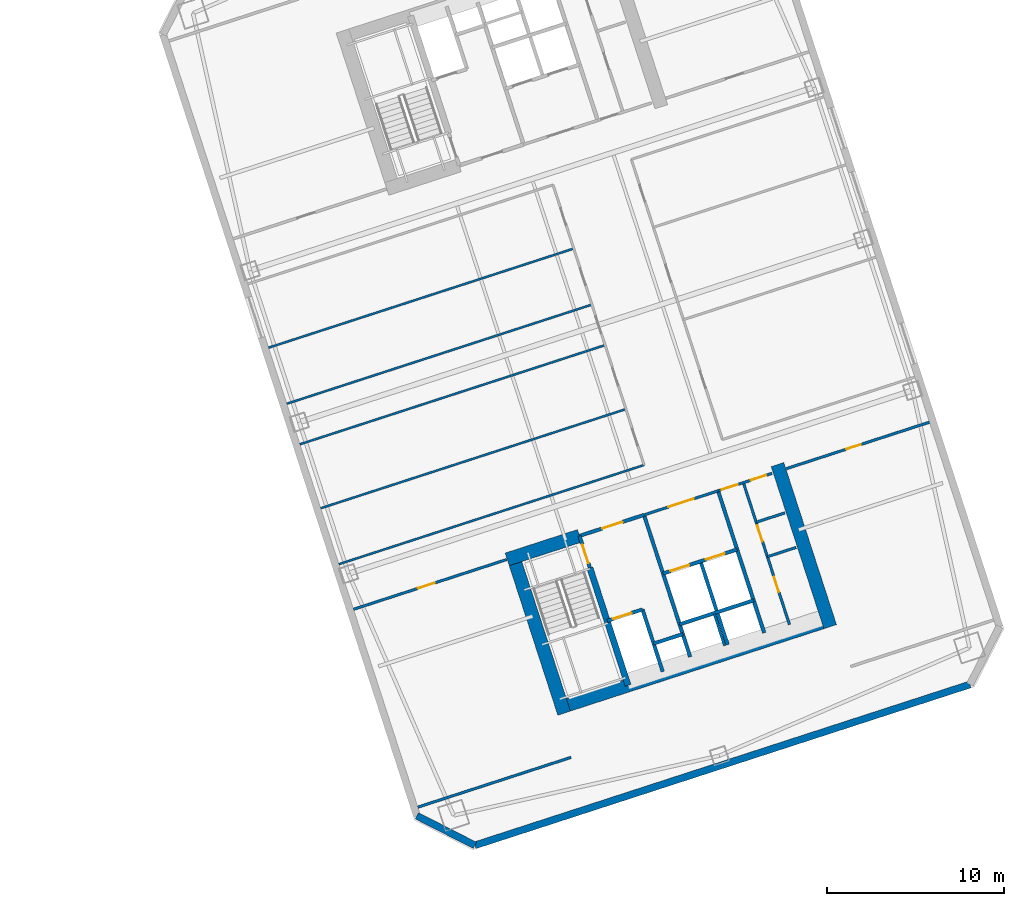
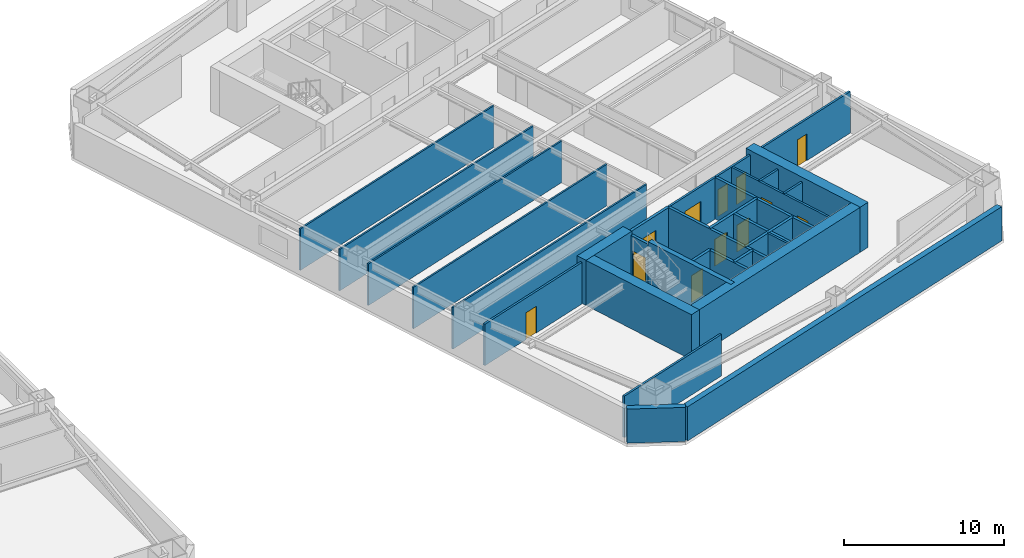
# One storey, part 8 of 13: 31 walls, 12 doors, 12 openings.
"""IFC4 building model written with IfcOpenShell, lengths in metres."""

from ifc_helpers import new_model, si_unit, direction, frame, frame_2d, origin, place, context, subcontext, project, spatial, rectangle, extrude, material, layer, layer_set, type_object, element, fill, save


model = new_model("IFC4")

# Units and contexts
model_context = context("Model", 3, precision=1e-05, world=origin(), true_north=direction((0.0, 1.0)))
body_context = subcontext(model_context, "Body", "Model", "MODEL_VIEW")
ifc_project = project(units=[si_unit("LENGTHUNIT", "METRE"), si_unit("AREAUNIT", "SQUARE_METRE"), si_unit("VOLUMEUNIT", "CUBIC_METRE"), si_unit("PLANEANGLEUNIT", "RADIAN"), si_unit("MASSUNIT", "GRAM", prefix="KILO")], contexts=[model_context])

# Site, building, storey
site_placement = place(None, origin())
site = spatial("IfcSite", under=ifc_project, at=site_placement, CompositionType="ELEMENT")
building_placement = place(site_placement, origin())
building = spatial("IfcBuilding", under=site, at=building_placement, Name="Qiaolan Cultural Towers", CompositionType="ELEMENT")
storey_placement = place(building_placement, frame((0.0, 0.0, 85.10009765625)))
storey = spatial("IfcBuildingStorey", under=building, at=storey_placement, Name="L21", CompositionType="ELEMENT", Elevation=85.10009765625)

# Walls
ifc_material_1 = material(Name="Concrete C50", Category="concrete")
ifc_layer_1 = layer(ifc_material_1, 0.35009765625)
ifc_layer_set_1 = layer_set([ifc_layer_1], Name="Concrete C50")
wall_type_1 = type_object("IfcWallType", Name="WL-CORE-350", PredefinedType="SHEAR", material=ifc_layer_set_1)
wall_1_placement = place(storey_placement, frame((90.486328125, 20.59423828125, 0.0), z_axis=(0.0, 0.0, 1.0), x_axis=(0.309020428229, -0.951055400562, 0.0)))
element("IfcWall", 1, at=wall_1_placement, inside=storey, type_object=wall_type_1, Name="L21 T2-CS Stair Core Dividing Web", PredefinedType="SHEAR", context=body_context, shape_type="SweptSolid", body=[
    extrude(rectangle(XDim=6.97998046875, YDim=0.35009765625, at=frame_2d((3.489990234375, 0.0))), origin(), (0.0, 0.0, 1.0), 3.449951171875),
])
ifc_material_2 = material(Name="Concrete C60", Category="concrete")
ifc_layer_2 = layer(ifc_material_2, 0.75)
ifc_layer_set_2 = layer_set([ifc_layer_2], Name="Concrete C60")
wall_type_2 = type_object("IfcWallType", Name="WL-CORE-750", PredefinedType="SHEAR", material=ifc_layer_set_2)
wall_2_placement = place(storey_placement, frame((88.55859375, 12.628662109375, 0.0), z_axis=(0.0, 0.0, 1.0), x_axis=(0.951056072937, 0.309018358888, 0.0)))
element("IfcWall", 2, at=wall_2_placement, inside=storey, type_object=wall_type_2, Name="L21 T2-CS Outer Core Shear Wall", PredefinedType="SHEAR", context=body_context, shape_type="SweptSolid", body=[
    extrude(rectangle(XDim=16.550048828125, YDim=0.75, at=frame_2d((8.27490234375, 0.0))), origin(), (0.0, 0.0, 1.0), 3.449951171875),
])
wall_3_placement = place(storey_placement, frame((86.05517578125, 21.54638671875, 0.0), z_axis=(0.0, 0.0, 1.0), x_axis=(0.309023585745, -0.951054374604, 0.0)))
element("IfcWall", 3, at=wall_3_placement, inside=storey, type_object=wall_type_2, Name="L21 T2-CS West Core Shear Wall", PredefinedType="SHEAR", context=body_context, shape_type="SweptSolid", body=[
    extrude(rectangle(XDim=9.6298828125, YDim=0.75, at=frame_2d((4.81494140625, 0.0))), origin(), (0.0, 0.0, 1.0), 3.449951171875),
])
wall_4_placement = place(storey_placement, frame((101.08203125, 26.428955078125, 0.0), z_axis=(0.0, 0.0, 1.0), x_axis=(0.309016134813, -0.951056795583, 0.0)))
element("IfcWall", 4, at=wall_4_placement, inside=storey, type_object=wall_type_2, Name="L21 T2-CS East Core Shear Wall", PredefinedType="SHEAR", context=body_context, shape_type="SweptSolid", body=[
    extrude(rectangle(XDim=9.630126953125, YDim=0.75, at=frame_2d((4.81494140625, 0.0))), origin(), (0.0, 0.0, 1.0), 3.449951171875),
])
wall_5_placement = place(storey_placement, frame((85.814453125, 21.073974609375, 0.0), z_axis=(0.0, 0.0, 1.0), x_axis=(0.95106580992, 0.308988390074, 0.0)))
element("IfcWall", 5, at=wall_5_placement, inside=storey, type_object=wall_type_2, Name="L21 T2-CS Stair Front Shear Wall", PredefinedType="SHEAR", context=body_context, shape_type="SweptSolid", body=[
    extrude(rectangle(XDim=4.295166015625, YDim=0.75, at=frame_2d((2.1474609375, 0.0))), origin(), (0.0, 0.0, 1.0), 3.449951171875),
])
ifc_material_3 = material(Name="Precast Concrete C50 Honed Stone Pier", Category="masonry")
ifc_layer_3 = layer(ifc_material_3, 0.39990234375)
ifc_layer_set_3 = layer_set([ifc_layer_3], Name="Precast Concrete C50 Honed Stone Pier")
wall_type_3 = type_object("IfcWallType", Name="WL-EXT-PIER-400", PredefinedType="SOLIDWALL", material=ifc_layer_set_3)
wall_6_placement = place(storey_placement, frame((111.953125, 14.00537109375, 0.0), z_axis=(0.0, 0.0, 1.0), x_axis=(-0.95105505922, -0.309021478754, 0.0)))
element("IfcWall", 6, at=wall_6_placement, inside=storey, type_object=wall_type_3, Name="L21 East Tower Precast Pier Facade Wall F7", PredefinedType="SOLIDWALL", context=body_context, shape_type="SweptSolid", body=[
    extrude(rectangle(XDim=29.39990234375, YDim=0.39990234375, at=frame_2d((14.699951171875, 0.0))), origin(), (0.0, 0.0, 1.0), 2.60986328125),
])
wall_7_placement = place(storey_placement, frame((83.9921875, 4.920166015625, 0.0), z_axis=(0.0, 0.0, 1.0), x_axis=(-0.891001999643, 0.45399937955, 0.0)))
element("IfcWall", 7, at=wall_7_placement, inside=storey, type_object=wall_type_3, Name="L21 East Tower Precast Pier Facade Wall F8", PredefinedType="SOLIDWALL", context=body_context, shape_type="SweptSolid", body=[
    extrude(rectangle(XDim=3.67724609375, YDim=0.39990234375, at=frame_2d((1.838623046875, 0.0))), origin(), (0.0, 0.0, 1.0), 2.60986328125),
])

# Wall, opening, door
ifc_material_4 = material(Name="Concrete C35 Fire Wall", Category="concrete")
ifc_layer_4 = layer(ifc_material_4, 0.199951171875)
ifc_layer_set_4 = layer_set([ifc_layer_4], Name="Concrete C35 Fire Wall")
wall_type_4 = type_object("IfcWallType", Name="WL-FIRE-200", PredefinedType="PARTITIONING", material=ifc_layer_set_4)
wall_8_placement = place(storey_placement, frame((89.8994140625, 22.401123046875, 0.0), z_axis=(0.0, 0.0, 1.0), x_axis=(0.308932062672, -0.951084108086, 0.0)))
wall_8 = element("IfcWall", 8, at=wall_8_placement, inside=storey, type_object=wall_type_4, Name="L21 T2-CS Smokeproof Stair Entry Wall", PredefinedType="PARTITIONING", context=body_context, shape_type="SweptSolid", body=[
    extrude(rectangle(XDim=1.89990234375, YDim=0.199951171875, at=frame_2d((0.949951171875, 0.0))), origin(), (0.0, 0.0, 1.0), 3.1748046875),
])
opening_1_placement = place(wall_8_placement, frame((0.52001953125, 0.0, 0.0)))
opening_1 = element("IfcOpeningElement", 9, at=opening_1_placement, cuts=wall_8, Name="Opening FD-04", PredefinedType="OPENING", context=body_context, shape_type="SweptSolid", body=[
    extrude(rectangle(XDim=1.10009765625, YDim=2.050048828125, at=frame_2d((0.550048828125, 1.02490234375))), frame((0.0, 0.10986328125, 0.0), z_axis=(0.0, -1.0, 0.0), x_axis=(1.0, 0.0, 0.0)), (0.0, 0.0, 1.0), 0.219970703125),
])
ifc_material_5 = material(Name="Galvanized Steel Command Fire Door", Category="steel")
door_type_1 = type_object("IfcDoorType", Name="DR-FD90-1100", OperationType="NOTDEFINED", PredefinedType="DOOR", material=ifc_material_5)
door_1_placement = place(opening_1_placement, origin())
door_1 = element("IfcDoor", 10, at=door_1_placement, inside=storey, type_object=door_type_1, Name="L21 ST-E1 Smokeproof Stair Fire Door", OperationType="SINGLE_SWING_LEFT", OverallHeight=2.050048828125, OverallWidth=1.10009765625, PredefinedType="DOOR", context=body_context, shape_type="SweptSolid", body=[
    extrude(rectangle(XDim=1.10009765625, YDim=2.050048828125, at=frame_2d((0.550048828125, 1.02490234375))), frame((0.0, 0.02490234375, 0.0), z_axis=(0.0, -1.0, 0.0), x_axis=(1.0, 0.0, 0.0)), (0.0, 0.0, 1.0), 0.050048828125),
])
fill(opening_1, door_1)

# Wall
wall_9_placement = place(storey_placement, frame((93.541748046875, 23.584716796875, 0.0), z_axis=(0.0, 0.0, 1.0), x_axis=(0.309042196757, -0.951048327176, 0.0)))
element("IfcWall", 11, at=wall_9_placement, inside=storey, type_object=wall_type_4, Name="L21 T2-CS Firefighting Zone Wall", PredefinedType="PARTITIONING", context=body_context, shape_type="SweptSolid", body=[
    extrude(rectangle(XDim=8.429931640625, YDim=0.199951171875, at=frame_2d((4.21484375, 0.0))), origin(), (0.0, 0.0, 1.0), 3.1748046875),
])

# Wall, opening, door
wall_10_placement = place(storey_placement, frame((89.8994140625, 22.401123046875, 0.0), z_axis=(0.0, 0.0, 1.0), x_axis=(0.951046716504, 0.309047153403, 0.0)))
wall_10 = element("IfcWall", 12, at=wall_10_placement, inside=storey, type_object=wall_type_4, Name="L21 T2-CS Firefighting Lobby Front Wall", PredefinedType="PARTITIONING", context=body_context, shape_type="SweptSolid", body=[
    extrude(rectangle(XDim=3.829833984375, YDim=0.199951171875, at=frame_2d((1.9150390625, 0.0))), origin(), (0.0, 0.0, 1.0), 3.1748046875),
])
opening_2_placement = place(wall_10_placement, frame((1.35009765625, 0.0, 0.0)))
opening_2 = element("IfcOpeningElement", 13, at=opening_2_placement, cuts=wall_10, Name="Opening FD-03", PredefinedType="OPENING", context=body_context, shape_type="SweptSolid", body=[
    extrude(rectangle(XDim=1.199951171875, YDim=2.050048828125, at=frame_2d((0.60009765625, 1.02490234375))), frame((0.0, 0.10986328125, 0.0), z_axis=(0.0, -1.0, 0.0), x_axis=(1.0, 0.0, 0.0)), (0.0, 0.0, 1.0), 0.219970703125),
])
ifc_material_6 = material(Name="Galvanized Steel Smokeproof Lobby Fire Door", Category="steel")
door_type_2 = type_object("IfcDoorType", Name="DR-FD90-1200", OperationType="NOTDEFINED", PredefinedType="DOOR", material=ifc_material_6)
door_2_placement = place(opening_2_placement, origin())
door_2 = element("IfcDoor", 14, at=door_2_placement, inside=storey, type_object=door_type_2, Name="L21 FFL-E1 Firefighting Lobby Fire Door", OperationType="SINGLE_SWING_LEFT", OverallHeight=2.050048828125, OverallWidth=1.199951171875, PredefinedType="DOOR", context=body_context, shape_type="SweptSolid", body=[
    extrude(rectangle(XDim=1.199951171875, YDim=2.050048828125, at=frame_2d((0.60009765625, 1.02490234375))), frame((0.0, 0.02490234375, 0.0), z_axis=(0.0, -1.0, 0.0), x_axis=(1.0, 0.0, 0.0)), (0.0, 0.0, 1.0), 0.050048828125),
])
fill(opening_2, door_2)

wall_11_placement = place(storey_placement, frame((91.459716796875, 17.598388671875, 0.0), z_axis=(0.0, 0.0, 1.0), x_axis=(0.951062257173, 0.308999325213, 0.0)))
wall_11 = element("IfcWall", 15, at=wall_11_placement, inside=storey, type_object=wall_type_4, Name="L21 T2-CS Firefighting Shaft Front Wall", PredefinedType="PARTITIONING", context=body_context, shape_type="SweptSolid", body=[
    extrude(rectangle(XDim=2.10009765625, YDim=0.199951171875, at=frame_2d((1.050048828125, 0.0))), origin(), (0.0, 0.0, 1.0), 3.1748046875),
])
opening_3_placement = place(wall_11_placement, frame((0.35009765625, 0.0, 0.0)))
opening_3 = element("IfcOpeningElement", 16, at=opening_3_placement, cuts=wall_11, Name="Opening LD-01", PredefinedType="OPENING", context=body_context, shape_type="SweptSolid", body=[
    extrude(rectangle(XDim=1.10009765625, YDim=2.050048828125, at=frame_2d((0.550048828125, 1.02490234375))), frame((0.0, 0.10986328125, 0.0), z_axis=(0.0, -1.0, 0.0), x_axis=(1.0, 0.0, 0.0)), (0.0, 0.0, 1.0), 0.219970703125),
])
ifc_material_7 = material(Name="Brushed Stainless Steel S30408 Centre-Parting Lift Landing Door", Category="steel")
door_type_3 = type_object("IfcDoorType", Name="DR-LIFT-1100", OperationType="NOTDEFINED", PredefinedType="DOOR", material=ifc_material_7)
door_3_placement = place(opening_3_placement, origin())
door_3 = element("IfcDoor", 17, at=door_3_placement, inside=storey, type_object=door_type_3, Name="L21 FFL-E1 Firefighting Lift Landing Door", OperationType="DOUBLE_DOOR_SLIDING", OverallHeight=2.050048828125, OverallWidth=1.10009765625, PredefinedType="DOOR", context=body_context, shape_type="SweptSolid", body=[
    extrude(rectangle(XDim=1.10009765625, YDim=2.050048828125, at=frame_2d((0.550048828125, 1.02490234375))), frame((0.0, 0.02490234375, 0.0), z_axis=(0.0, -1.0, 0.0), x_axis=(1.0, 0.0, 0.0)), (0.0, 0.0, 1.0), 0.050048828125),
])
fill(opening_3, door_3)

# Walls
wall_12_placement = place(storey_placement, frame((93.45703125, 18.247314453125, 0.0), z_axis=(0.0, 0.0, 1.0), x_axis=(0.3089935693, -0.951064127245, 0.0)))
element("IfcWall", 18, at=wall_12_placement, inside=storey, type_object=wall_type_4, Name="L21 T2-CS Firefighting Hoistway East Wall", PredefinedType="PARTITIONING", context=body_context, shape_type="SweptSolid", body=[
    extrude(rectangle(XDim=3.7001953125, YDim=0.199951171875, at=frame_2d((1.85009765625, 0.0))), origin(), (0.0, 0.0, 1.0), 3.1748046875),
])
wall_13_placement = place(storey_placement, frame((94.08447265625, 16.316650390625, 0.0), z_axis=(0.0, 0.0, 1.0), x_axis=(0.951041328149, 0.309063734775, 0.0)))
element("IfcWall", 19, at=wall_13_placement, inside=storey, type_object=wall_type_4, Name="L21 T2-CS Pressurization Shaft Front Wall", PredefinedType="PARTITIONING", context=body_context, shape_type="SweptSolid", body=[
    extrude(rectangle(XDim=1.72998046875, YDim=0.199951171875, at=frame_2d((0.864990234375, 0.0))), origin(), (0.0, 0.0, 1.0), 3.1748046875),
])
wall_14_placement = place(storey_placement, frame((97.7265625, 24.9443359375, 0.0), z_axis=(0.0, 0.0, 1.0), x_axis=(0.309016001439, -0.951056838919, 0.0)))
element("IfcWall", 20, at=wall_14_placement, inside=storey, type_object=wall_type_4, Name="L21 T2-CS Lift Core East Wall", PredefinedType="PARTITIONING", context=body_context, shape_type="SweptSolid", body=[
    extrude(rectangle(XDim=8.429931640625, YDim=0.199951171875, at=frame_2d((4.21484375, 0.0))), origin(), (0.0, 0.0, 1.0), 3.1748046875),
])

# Wall, openings, doors
wall_15_placement = place(storey_placement, frame((94.6171875, 20.275146484375, 0.0), z_axis=(0.0, 0.0, 1.0), x_axis=(0.951058531764, 0.30901079133, 0.0)))
wall_15 = element("IfcWall", 21, at=wall_15_placement, inside=storey, type_object=wall_type_4, Name="L21 T2-CS Passenger Lift Shaft Front Wall", PredefinedType="PARTITIONING", context=body_context, shape_type="SweptSolid", body=[
    extrude(rectangle(XDim=4.39990234375, YDim=0.199951171875, at=frame_2d((2.199951171875, 0.0))), origin(), (0.0, 0.0, 1.0), 3.1748046875),
])
opening_4_placement = place(wall_15_placement, frame((0.449951171875, 0.0, 0.0)))
opening_4 = element("IfcOpeningElement", 22, at=opening_4_placement, cuts=wall_15, Name="Opening LD-01", PredefinedType="OPENING", context=body_context, shape_type="SweptSolid", body=[
    extrude(rectangle(XDim=1.10009765625, YDim=2.050048828125, at=frame_2d((0.550048828125, 1.02490234375))), frame((0.0, 0.10986328125, 0.0), z_axis=(0.0, -1.0, 0.0), x_axis=(1.0, 0.0, 0.0)), (0.0, 0.0, 1.0), 0.219970703125),
])
opening_5_placement = place(wall_15_placement, frame((2.550048828125, 0.0, 0.0)))
opening_5 = element("IfcOpeningElement", 23, at=opening_5_placement, cuts=wall_15, Name="Opening LD-01", PredefinedType="OPENING", context=body_context, shape_type="SweptSolid", body=[
    extrude(rectangle(XDim=1.10009765625, YDim=2.050048828125, at=frame_2d((0.550048828125, 1.02490234375))), frame((0.0, 0.10986328125, 0.0), z_axis=(0.0, -1.0, 0.0), x_axis=(1.0, 0.0, 0.0)), (0.0, 0.0, 1.0), 0.219970703125),
])
door_4_placement = place(opening_4_placement, origin())
door_4 = element("IfcDoor", 24, at=door_4_placement, inside=storey, type_object=door_type_3, Name="L21 Passenger Lift 1 Landing Door", OperationType="DOUBLE_DOOR_SLIDING", OverallHeight=2.050048828125, OverallWidth=1.10009765625, PredefinedType="DOOR", context=body_context, shape_type="SweptSolid", body=[
    extrude(rectangle(XDim=1.10009765625, YDim=2.050048828125, at=frame_2d((0.550048828125, 1.02490234375))), frame((0.0, 0.02490234375, 0.0), z_axis=(0.0, -1.0, 0.0), x_axis=(1.0, 0.0, 0.0)), (0.0, 0.0, 1.0), 0.050048828125),
])
fill(opening_4, door_4)
door_5_placement = place(opening_5_placement, origin())
door_5 = element("IfcDoor", 25, at=door_5_placement, inside=storey, type_object=door_type_3, Name="L21 Passenger Lift 2 Landing Door", OperationType="DOUBLE_DOOR_SLIDING", OverallHeight=2.050048828125, OverallWidth=1.10009765625, PredefinedType="DOOR", context=body_context, shape_type="SweptSolid", body=[
    extrude(rectangle(XDim=1.10009765625, YDim=2.050048828125, at=frame_2d((0.550048828125, 1.02490234375))), frame((0.0, 0.02490234375, 0.0), z_axis=(0.0, -1.0, 0.0), x_axis=(1.0, 0.0, 0.0)), (0.0, 0.0, 1.0), 0.050048828125),
])
fill(opening_5, door_5)

# Walls
wall_16_placement = place(storey_placement, frame((96.738037109375, 20.964111328125, 0.0), z_axis=(0.0, 0.0, 1.0), x_axis=(0.309042578481, -0.951048203135, 0.0)))
element("IfcWall", 26, at=wall_16_placement, inside=storey, type_object=wall_type_4, Name="L21 T2-CS Lift Shaft Divider Wall", PredefinedType="PARTITIONING", context=body_context, shape_type="SweptSolid", body=[
    extrude(rectangle(XDim=4.9501953125, YDim=0.199951171875, at=frame_2d((2.47509765625, 0.0))), origin(), (0.0, 0.0, 1.0), 3.1748046875),
])
wall_17_placement = place(storey_placement, frame((95.550537109375, 17.40283203125, 0.0), z_axis=(0.0, 0.0, 1.0), x_axis=(0.951058531764, 0.30901079133, 0.0)))
element("IfcWall", 27, at=wall_17_placement, inside=storey, type_object=wall_type_4, Name="L21 T2-CS Passenger Lift Shaft Back Wall", PredefinedType="PARTITIONING", context=body_context, shape_type="SweptSolid", body=[
    extrude(rectangle(XDim=4.39990234375, YDim=0.199951171875, at=frame_2d((2.199951171875, 0.0))), origin(), (0.0, 0.0, 1.0), 3.1748046875),
])
ifc_material_8 = material(Name="Gypsum Stud Acoustic Partition", Category="gypsum")
ifc_layer_5 = layer(ifc_material_8, 0.1201171875)
ifc_layer_set_5 = layer_set([ifc_layer_5], Name="Gypsum Stud Acoustic Partition")
wall_type_5 = type_object("IfcWallType", Name="WL-PART-120", PredefinedType="PARTITIONING", material=ifc_layer_set_5)
for number, where, z_axis, x_axis, name in (
    (28, (76.307861328125, 20.802978515625, 0.0), (0.0, 0.0, 1.0), (0.951054952586, 0.309021806935, 0.0), "L21 T2 South Corridor Left Wall"),
    (29, (75.281982421875, 23.96044921875, 0.0), (0.0, 0.0, 1.0), (0.951054952586, 0.309021806935, 0.0), "L21 T2 West Partition 1"),
    (30, (74.107666015625, 27.574462890625, 0.0), (0.0, 0.0, 1.0), (0.951054952586, 0.309021806935, 0.0), "L21 T2 West Partition 2"),
):
    element("IfcWall", number, at=place(storey_placement, frame(where, z_axis=z_axis, x_axis=x_axis)), inside=storey, type_object=wall_type_5, Name=name, PredefinedType="PARTITIONING", context=body_context, shape_type="SweptSolid", body=[
        extrude(rectangle(XDim=18.125244140625, YDim=0.1201171875, at=frame_2d((9.0625, 0.0))), origin(), (0.0, 0.0, 1.0), 3.1748046875),
    ])
wall_18_placement = place(storey_placement, frame((73.3642578125, 29.863037109375, 0.0), z_axis=(0.0, 0.0, 1.0), x_axis=(0.951057625014, 0.309013582067, 0.0)))
element("IfcWall", 31, at=wall_18_placement, inside=storey, type_object=wall_type_5, Name="L21 T2 West Partition 3", PredefinedType="PARTITIONING", context=body_context, shape_type="SweptSolid", body=[
    extrude(rectangle(XDim=18.124755859375, YDim=0.1201171875, at=frame_2d((9.0625, 0.0))), origin(), (0.0, 0.0, 1.0), 3.1748046875),
])
wall_19_placement = place(storey_placement, frame((72.335693359375, 33.028076171875, 0.0), z_axis=(0.0, 0.0, 1.0), x_axis=(0.951058911225, 0.309009623443, 0.0)))
element("IfcWall", 32, at=wall_19_placement, inside=storey, type_object=wall_type_5, Name="L21 T2 West Partition 4", PredefinedType="PARTITIONING", context=body_context, shape_type="SweptSolid", body=[
    extrude(rectangle(XDim=18.125, YDim=0.1201171875, at=frame_2d((9.0625, 0.0))), origin(), (0.0, 0.0, 1.0), 3.1748046875),
])

# Wall, opening, door
ifc_material_9 = material(Name="Autoclaved Aerated Concrete Block B06", Category="concrete")
ifc_layer_6 = layer(ifc_material_9, 0.14990234375)
ifc_layer_set_6 = layer_set([ifc_layer_6], Name="Autoclaved Aerated Concrete Block B06")
wall_type_6 = type_object("IfcWallType", Name="WL-PART-150", PredefinedType="PARTITIONING", material=ifc_layer_set_6)
wall_20_placement = place(storey_placement, frame((93.541748046875, 23.584716796875, 0.0), z_axis=(0.0, 0.0, 1.0), x_axis=(0.951063829732, 0.308994485023, 0.0)))
wall_20 = element("IfcWall", 33, at=wall_20_placement, inside=storey, type_object=wall_type_6, Name="L21 T2-CS Passenger Lift Lobby Front Wall", PredefinedType="PARTITIONING", context=body_context, shape_type="SweptSolid", body=[
    extrude(rectangle(XDim=4.400146484375, YDim=0.14990234375, at=frame_2d((2.2001953125, 0.0))), origin(), (0.0, 0.0, 1.0), 3.1748046875),
])
opening_6_placement = place(wall_20_placement, frame((1.449951171875, 0.0, 0.0)))
opening_6 = element("IfcOpeningElement", 34, at=opening_6_placement, cuts=wall_20, Name="Opening FD-05", PredefinedType="OPENING", context=body_context, shape_type="SweptSolid", body=[
    extrude(rectangle(XDim=1.5, YDim=2.050048828125, at=frame_2d((0.75, 1.02490234375))), frame((0.0, 0.0849609375, 0.0), z_axis=(0.0, -1.0, 0.0), x_axis=(1.0, 0.0, 0.0)), (0.0, 0.0, 1.0), 0.169921875),
])
ifc_material_10 = material(Name="Painted Steel Lift Lobby Fire Door", Category="steel")
door_type_4 = type_object("IfcDoorType", Name="DR-FD60-1500", OperationType="NOTDEFINED", PredefinedType="DOOR", material=ifc_material_10)
door_6_placement = place(opening_6_placement, origin())
door_6 = element("IfcDoor", 35, at=door_6_placement, inside=storey, type_object=door_type_4, Name="L21 Passenger Lift Lobby Entrance", OperationType="SINGLE_SWING_LEFT", OverallHeight=2.050048828125, OverallWidth=1.5, PredefinedType="DOOR", context=body_context, shape_type="SweptSolid", body=[
    extrude(rectangle(XDim=1.5, YDim=2.050048828125, at=frame_2d((0.75, 1.02490234375))), frame((0.0, 0.02490234375, 0.0), z_axis=(0.0, -1.0, 0.0), x_axis=(1.0, 0.0, 0.0)), (0.0, 0.0, 1.0), 0.050048828125),
])
fill(opening_6, door_6)

# Wall
wall_21_placement = place(storey_placement, frame((97.515625, 17.98876953125, 0.0), z_axis=(0.0, 0.0, 1.0), x_axis=(0.30897153969, -0.951071284217, 0.0)))
element("IfcWall", 36, at=wall_21_placement, inside=storey, type_object=wall_type_6, Name="L21 T2-CS Core Rear Split Wall", PredefinedType="PARTITIONING", context=body_context, shape_type="SweptSolid", body=[
    extrude(rectangle(XDim=1.8798828125, YDim=0.14990234375, at=frame_2d((0.93994140625, 0.0))), origin(), (0.0, 0.0, 1.0), 3.1748046875),
])

# Wall, openings, doors
wall_22_placement = place(storey_placement, frame((97.7265625, 24.9443359375, 0.0), z_axis=(0.0, 0.0, 1.0), x_axis=(0.951036872128, 0.309077446369, 0.0)))
wall_22 = element("IfcWall", 37, at=wall_22_placement, inside=storey, type_object=wall_type_6, Name="L21 T2-CS Sanitary Core Front Wall", PredefinedType="PARTITIONING", context=body_context, shape_type="SweptSolid", body=[
    extrude(rectangle(XDim=3.199951171875, YDim=0.14990234375, at=frame_2d((1.60009765625, 0.0))), origin(), (0.0, 0.0, 1.0), 3.1748046875),
])
opening_7_placement = place(wall_22_placement, frame((0.219970703125, 0.0, 0.0)))
opening_7 = element("IfcOpeningElement", 38, at=opening_7_placement, cuts=wall_22, Name="Opening ID-05", PredefinedType="OPENING", context=body_context, shape_type="SweptSolid", body=[
    extrude(rectangle(XDim=0.949951171875, YDim=2.050048828125, at=frame_2d((0.47509765625, 1.02490234375))), frame((0.0, 0.0849609375, 0.0), z_axis=(0.0, -1.0, 0.0), x_axis=(1.0, 0.0, 0.0)), (0.0, 0.0, 1.0), 0.169921875),
])
opening_8_placement = place(wall_22_placement, frame((1.949951171875, 0.0, 0.0)))
opening_8 = element("IfcOpeningElement", 39, at=opening_8_placement, cuts=wall_22, Name="Opening ID-06", PredefinedType="OPENING", context=body_context, shape_type="SweptSolid", body=[
    extrude(rectangle(XDim=0.89990234375, YDim=2.050048828125, at=frame_2d((0.449951171875, 1.02490234375))), frame((0.0, 0.0849609375, 0.0), z_axis=(0.0, -1.0, 0.0), x_axis=(1.0, 0.0, 0.0)), (0.0, 0.0, 1.0), 0.169921875),
])
ifc_material_11 = material(Name="Fire-Rated Laminate Core Service Door", Category="timber")
door_type_5 = type_object("IfcDoorType", Name="DR-INT-900", OperationType="NOTDEFINED", PredefinedType="DOOR", material=ifc_material_11)
door_7_placement = place(opening_8_placement, origin())
door_7 = element("IfcDoor", 40, at=door_7_placement, inside=storey, type_object=door_type_5, Name="L21 Core Tea Pantry Door", OperationType="SINGLE_SWING_RIGHT", OverallHeight=2.050048828125, OverallWidth=0.89990234375, PredefinedType="DOOR", context=body_context, shape_type="SweptSolid", body=[
    extrude(rectangle(XDim=0.89990234375, YDim=2.050048828125, at=frame_2d((0.449951171875, 1.02490234375))), frame((0.0, 0.02490234375, 0.0), z_axis=(0.0, -1.0, 0.0), x_axis=(1.0, 0.0, 0.0)), (0.0, 0.0, 1.0), 0.050048828125),
])
fill(opening_8, door_7)
ifc_material_12 = material(Name="Fire-Rated Laminate Accessible Core Door", Category="timber")
door_type_6 = type_object("IfcDoorType", Name="DR-INT-950", OperationType="NOTDEFINED", PredefinedType="DOOR", material=ifc_material_12)
door_8_placement = place(opening_7_placement, origin())
door_8 = element("IfcDoor", 41, at=door_8_placement, inside=storey, type_object=door_type_6, Name="L21 Sanitary Passage Door", OperationType="SINGLE_SWING_LEFT", OverallHeight=2.050048828125, OverallWidth=0.949951171875, PredefinedType="DOOR", context=body_context, shape_type="SweptSolid", body=[
    extrude(rectangle(XDim=0.949951171875, YDim=2.050048828125, at=frame_2d((0.47509765625, 1.02490234375))), frame((0.0, 0.02490234375, 0.0), z_axis=(0.0, -1.0, 0.0), x_axis=(1.0, 0.0, 0.0)), (0.0, 0.0, 1.0), 0.050048828125),
])
fill(opening_7, door_8)

wall_23_placement = place(storey_placement, frame((99.153076171875, 25.407958984375, 0.0), z_axis=(0.0, 0.0, 1.0), x_axis=(0.309016001439, -0.951056838919, 0.0)))
wall_23 = element("IfcWall", 42, at=wall_23_placement, inside=storey, type_object=wall_type_6, Name="L21 T2-CS Sanitary Corridor Wall", PredefinedType="PARTITIONING", context=body_context, shape_type="SweptSolid", body=[
    extrude(rectangle(XDim=8.429931640625, YDim=0.14990234375, at=frame_2d((4.21484375, 0.0))), origin(), (0.0, 0.0, 1.0), 3.1748046875),
])
opening_9_placement = place(wall_23_placement, frame((2.550048828125, 0.0, 0.0)))
opening_9 = element("IfcOpeningElement", 43, at=opening_9_placement, cuts=wall_23, Name="Opening ID-05", PredefinedType="OPENING", context=body_context, shape_type="SweptSolid", body=[
    extrude(rectangle(XDim=0.949951171875, YDim=2.050048828125, at=frame_2d((0.47509765625, 1.02490234375))), frame((0.0, 0.0849609375, 0.0), z_axis=(0.0, -1.0, 0.0), x_axis=(1.0, 0.0, 0.0)), (0.0, 0.0, 1.0), 0.169921875),
])
opening_10_placement = place(wall_23_placement, frame((5.60009765625, 0.0, 0.0)))
opening_10 = element("IfcOpeningElement", 44, at=opening_10_placement, cuts=wall_23, Name="Opening ID-06", PredefinedType="OPENING", context=body_context, shape_type="SweptSolid", body=[
    extrude(rectangle(XDim=0.89990234375, YDim=2.050048828125, at=frame_2d((0.449951171875, 1.02490234375))), frame((0.0, 0.0849609375, 0.0), z_axis=(0.0, -1.0, 0.0), x_axis=(1.0, 0.0, 0.0)), (0.0, 0.0, 1.0), 0.169921875),
])
door_9_placement = place(opening_10_placement, origin())
door_9 = element("IfcDoor", 45, at=door_9_placement, inside=storey, type_object=door_type_5, Name="L21 Staff Restroom Door", OperationType="SINGLE_SWING_RIGHT", OverallHeight=2.050048828125, OverallWidth=0.89990234375, PredefinedType="DOOR", context=body_context, shape_type="SweptSolid", body=[
    extrude(rectangle(XDim=0.89990234375, YDim=2.050048828125, at=frame_2d((0.449951171875, 1.02490234375))), frame((0.0, 0.02490234375, 0.0), z_axis=(0.0, -1.0, 0.0), x_axis=(1.0, 0.0, 0.0)), (0.0, 0.0, 1.0), 0.050048828125),
])
fill(opening_10, door_9)
door_10_placement = place(opening_9_placement, origin())
door_10 = element("IfcDoor", 46, at=door_10_placement, inside=storey, type_object=door_type_6, Name="L21 Accessible Washroom Door", OperationType="SINGLE_SWING_LEFT", OverallHeight=2.050048828125, OverallWidth=0.949951171875, PredefinedType="DOOR", context=body_context, shape_type="SweptSolid", body=[
    extrude(rectangle(XDim=0.949951171875, YDim=2.050048828125, at=frame_2d((0.47509765625, 1.02490234375))), frame((0.0, 0.02490234375, 0.0), z_axis=(0.0, -1.0, 0.0), x_axis=(1.0, 0.0, 0.0)), (0.0, 0.0, 1.0), 0.050048828125),
])
fill(opening_9, door_10)

# Walls
for number, where, z_axis, x_axis, name in (
    (47, (100.5126953125, 21.223388671875, 0.0), (0.0, 0.0, 1.0), (0.951096313471, 0.308894484414, 0.0), "L21 T2-CS Restroom Split Wall"),
    (48, (99.879150390625, 23.1728515625, 0.0), (0.0, 0.0, 1.0), (0.951054116971, 0.309024378638, 0.0), "L21 T2-CS Core Pantry Wall"),
):
    element("IfcWall", number, at=place(storey_placement, frame(where, z_axis=z_axis, x_axis=x_axis)), inside=storey, type_object=wall_type_6, Name=name, PredefinedType="PARTITIONING", context=body_context, shape_type="SweptSolid", body=[
        extrude(rectangle(XDim=1.7001953125, YDim=0.14990234375, at=frame_2d((0.85009765625, 0.0))), origin(), (0.0, 0.0, 1.0), 3.1748046875),
    ])
wall_24_placement = place(storey_placement, frame((80.76708984375, 7.079345703125, 0.0), z_axis=(0.0, 0.0, 1.0), x_axis=(0.951057133767, 0.309015093986, 0.0)))
element("IfcWall", 49, at=wall_24_placement, inside=storey, type_object=wall_type_6, Name="L21 T2 Flank Wall FLK-SW", PredefinedType="PARTITIONING", context=body_context, shape_type="SweptSolid", body=[
    extrude(rectangle(XDim=9.099853515625, YDim=0.14990234375, at=frame_2d((4.5498046875, 0.0))), origin(), (0.0, 0.0, 1.0), 3.1748046875),
])

# Wall, opening, door
wall_25_placement = place(storey_placement, frame((77.13623046875, 18.254150390625, 0.0), z_axis=(0.0, 0.0, 1.0), x_axis=(0.951057133767, 0.309015093986, 0.0)))
wall_25 = element("IfcWall", 50, at=wall_25_placement, inside=storey, type_object=wall_type_6, Name="L21 T2 Flank Front FLK-SW", PredefinedType="PARTITIONING", context=body_context, shape_type="SweptSolid", body=[
    extrude(rectangle(XDim=9.099853515625, YDim=0.14990234375, at=frame_2d((4.5498046875, 0.0))), origin(), (0.0, 0.0, 1.0), 3.1748046875),
])
opening_11_placement = place(wall_25_placement, frame((3.822021484375, 0.0, 0.0)))
opening_11 = element("IfcOpeningElement", 51, at=opening_11_placement, cuts=wall_25, Name="Opening ID-04", PredefinedType="OPENING", context=body_context, shape_type="SweptSolid", body=[
    extrude(rectangle(XDim=1.0, YDim=2.050048828125, at=frame_2d((0.5, 1.02490234375))), frame((0.0, 0.0849609375, 0.0), z_axis=(0.0, -1.0, 0.0), x_axis=(1.0, 0.0, 0.0)), (0.0, 0.0, 1.0), 0.169921875),
])
ifc_material_13 = material(Name="Oak Veneer Acoustic Office Door", Category="timber")
door_type_7 = type_object("IfcDoorType", Name="DR-INT-1000", OperationType="NOTDEFINED", PredefinedType="DOOR", material=ifc_material_13)
door_11_placement = place(opening_11_placement, origin())
door_11 = element("IfcDoor", 52, at=door_11_placement, inside=storey, type_object=door_type_7, Name="L21 T2 Corner Studio Door", OperationType="SINGLE_SWING_LEFT", OverallHeight=2.050048828125, OverallWidth=1.0, PredefinedType="DOOR", context=body_context, shape_type="SweptSolid", body=[
    extrude(rectangle(XDim=1.0, YDim=2.050048828125, at=frame_2d((0.5, 1.02490234375))), frame((0.0, 0.02490234375, 0.0), z_axis=(0.0, -1.0, 0.0), x_axis=(1.0, 0.0, 0.0)), (0.0, 0.0, 1.0), 0.050048828125),
])
fill(opening_11, door_11)

wall_26_placement = place(storey_placement, frame((101.578369140625, 26.196044921875, 0.0), z_axis=(0.0, 0.0, 1.0), x_axis=(0.951062770994, 0.308997743729, 0.0)))
wall_26 = element("IfcWall", 53, at=wall_26_placement, inside=storey, type_object=wall_type_6, Name="L21 T2 Flank Front FLK-SE", PredefinedType="PARTITIONING", context=body_context, shape_type="SweptSolid", body=[
    extrude(rectangle(XDim=8.5, YDim=0.14990234375, at=frame_2d((4.25, 0.0))), origin(), (0.0, 0.0, 1.0), 3.1748046875),
])
opening_12_placement = place(wall_26_placement, frame((3.570068359375, 0.0, 0.0)))
opening_12 = element("IfcOpeningElement", 54, at=opening_12_placement, cuts=wall_26, Name="Opening ID-09", PredefinedType="OPENING", context=body_context, shape_type="SweptSolid", body=[
    extrude(rectangle(XDim=0.85009765625, YDim=2.050048828125, at=frame_2d((0.425048828125, 1.02490234375))), frame((0.0, 0.0849609375, 0.0), z_axis=(0.0, -1.0, 0.0), x_axis=(1.0, 0.0, 0.0)), (0.0, 0.0, 1.0), 0.169921875),
])
ifc_material_14 = material(Name="Moisture-Resistant Laminate Utility Door", Category="timber")
door_type_8 = type_object("IfcDoorType", Name="DR-INT-850", OperationType="NOTDEFINED", PredefinedType="DOOR", material=ifc_material_14)
door_12_placement = place(opening_12_placement, origin())
door_12 = element("IfcDoor", 55, at=door_12_placement, inside=storey, type_object=door_type_8, Name="L21 T2 Corner Studio Door", OperationType="SINGLE_SWING_LEFT", OverallHeight=2.050048828125, OverallWidth=0.85009765625, PredefinedType="DOOR", context=body_context, shape_type="SweptSolid", body=[
    extrude(rectangle(XDim=0.85009765625, YDim=2.050048828125, at=frame_2d((0.425048828125, 1.02490234375))), frame((0.0, 0.02490234375, 0.0), z_axis=(0.0, -1.0, 0.0), x_axis=(1.0, 0.0, 0.0)), (0.0, 0.0, 1.0), 0.050048828125),
])
fill(opening_12, door_12)

save(model, "model.ifc")
